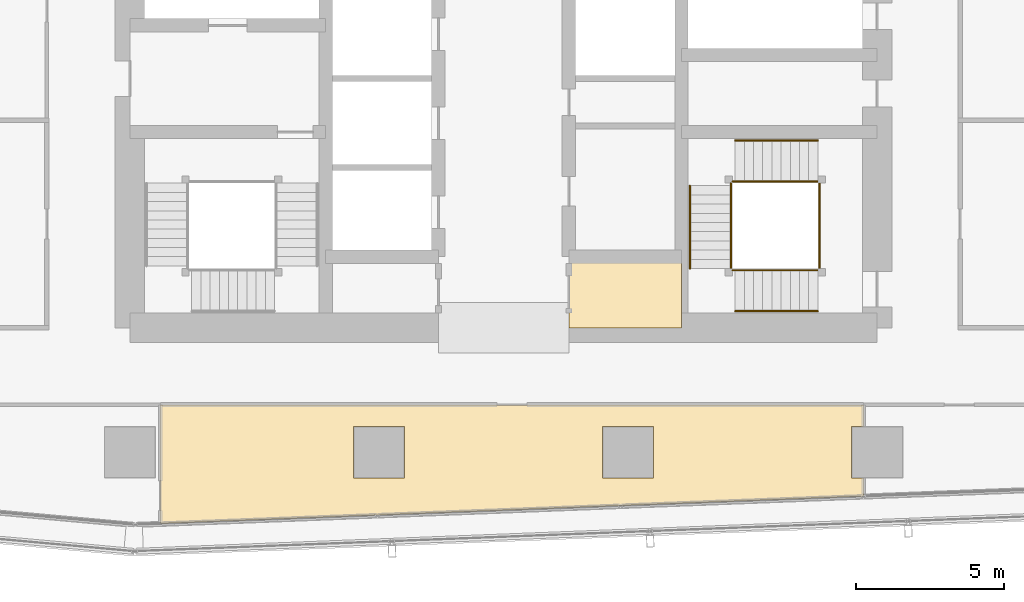
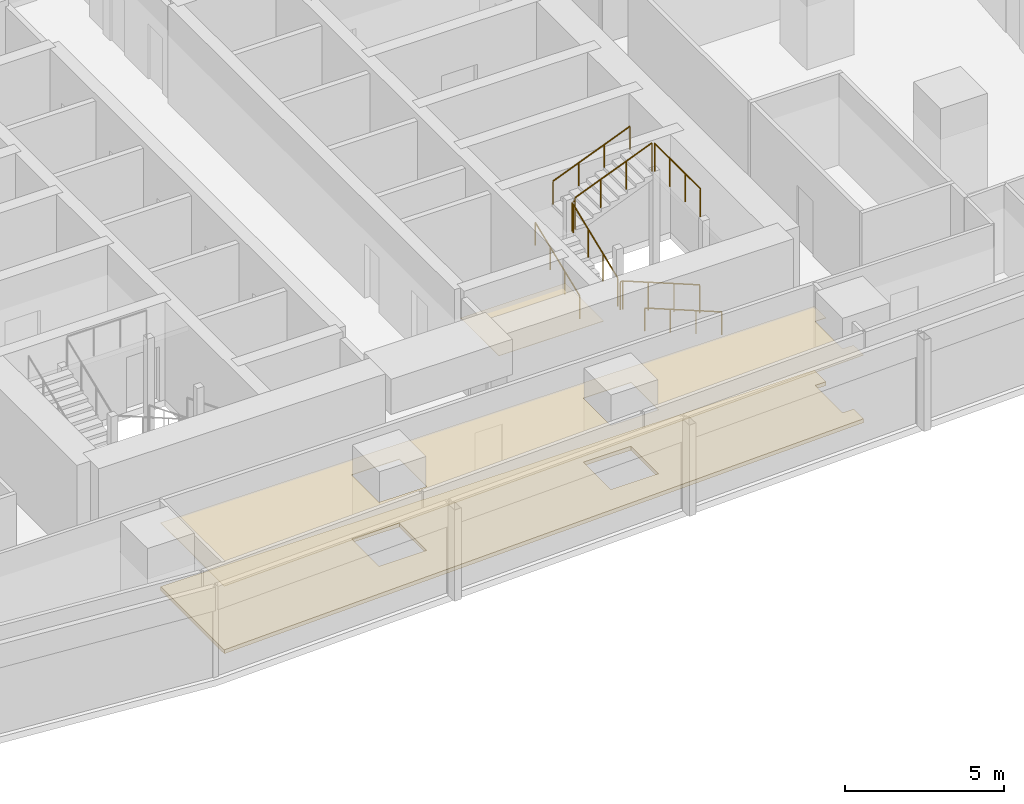
# One storey, part 37 of 40: 10 railings, 3 coverings.
"""IFC4 building model written with IfcOpenShell, lengths in metres."""

import ifcopenshell
import ifcopenshell.guid

model = None  # the IFC model being written
_history = None  # IfcOwnerHistory: only IFC2X3 demands one
_inside = {}  # id of a spatial element -> (the spatial element, [elements in it])
_under = {}  # id of a project, library or spatial element -> (it, [spatial elements below it])
_declared = {}  # id of a project -> (the project, [libraries it declares])
_typed = {}  # id of a type object -> (the type object, [elements of that type])
_made_of = {}  # id of a material, layer set ... -> (it, [elements and type objects made of it])


def new_model(schema):
    """Start an empty IFC model of exactly this schema.

    Asked for "IFC4X3", IfcOpenShell would pick the latest addendum, in which some entities
    have other attributes; the version numbers below select the first issue.
    IFC2X3 requires an IfcOwnerHistory on every rooted entity: one is made here for all.
    """
    global model, _history
    if schema == "IFC4X3":
        model = ifcopenshell.file(schema_version=(4, 3, 0, 0))
    else:
        model = ifcopenshell.file(schema=schema)
    _inside.clear()
    _under.clear()
    _declared.clear()
    _typed.clear()
    _made_of.clear()
    _history = None
    if model.schema == "IFC2X3":
        org = make("IfcOrganization", Name="unknown")
        user = make(
            "IfcPersonAndOrganization",
            ThePerson=make("IfcPerson", FamilyName="unknown"),
            TheOrganization=org,
        )
        app = make(
            "IfcApplication",
            ApplicationDeveloper=org,
            Version="unknown",
            ApplicationFullName="unknown",
            ApplicationIdentifier="unknown",
        )
        _history = make(
            "IfcOwnerHistory",
            OwningUser=user,
            OwningApplication=app,
            ChangeAction="ADDED",
            CreationDate=0,
        )
    return model


def make(cls, **values):
    """One entity of the class cls with the attributes given. An attribute that is None is left unset."""
    return model.create_entity(
        cls, **{name: value for name, value in values.items() if value is not None}
    )


def rooted(cls, **values):
    """An entity with a GlobalId (a new one), such as an element, a storey or a relation."""
    return make(cls, GlobalId=ifcopenshell.guid.new(), OwnerHistory=_history, **values)


def si_unit(unit_type, name, prefix=None):
    """IfcSIUnit, for example si_unit("LENGTHUNIT", "METRE", prefix="MILLI")."""
    return make("IfcSIUnit", UnitType=unit_type, Prefix=prefix, Name=name)


def assignment(units):
    """IfcUnitAssignment: the units of a project."""
    return None if units is None else make("IfcUnitAssignment", Units=units)


def point(xyz):
    """IfcCartesianPoint."""
    return None if xyz is None else make("IfcCartesianPoint", Coordinates=xyz)


def direction(xyz):
    """IfcDirection."""
    return None if xyz is None else make("IfcDirection", DirectionRatios=xyz)


def frame(location, z_axis=None, x_axis=None):
    """IfcAxis2Placement3D, a coordinate frame: its origin and axes. An axis left out is left unset."""
    return make(
        "IfcAxis2Placement3D",
        Location=point(location),
        Axis=direction(z_axis),
        RefDirection=direction(x_axis),
    )


def frame_2d(location, x_axis=None):
    """IfcAxis2Placement2D, a coordinate frame in the plane: its origin and x axis."""
    return make(
        "IfcAxis2Placement2D", Location=point(location), RefDirection=direction(x_axis)
    )


def origin():
    """The frame at (0, 0, 0) with its axes left unset."""
    return frame((0.0, 0.0, 0.0))


def origin_2d():
    """The frame at (0, 0) in the plane with its x axis left unset."""
    return frame_2d((0.0, 0.0))


def place(relative_to, where):
    """IfcLocalPlacement: puts the frame where relative to a parent placement (None: the world)."""
    return make(
        "IfcLocalPlacement", PlacementRelTo=relative_to, RelativePlacement=where
    )


def context(
    kind, dimensions, precision=None, world=None, true_north=None, identifier=None
):
    """IfcGeometricRepresentationContext, for example the 3D "Model" context."""
    return make(
        "IfcGeometricRepresentationContext",
        ContextIdentifier=identifier,
        ContextType=kind,
        CoordinateSpaceDimension=dimensions,
        Precision=precision,
        WorldCoordinateSystem=world,
        TrueNorth=true_north,
    )


def subcontext(parent, identifier, kind, view, scale=None):
    """IfcGeometricRepresentationSubContext, for example "Body" below "Model"."""
    return make(
        "IfcGeometricRepresentationSubContext",
        ContextIdentifier=identifier,
        ContextType=kind,
        ParentContext=parent,
        TargetScale=scale,
        TargetView=view,
    )


def project(units=None, contexts=None):
    """IfcProject with its units and contexts."""
    return rooted(
        "IfcProject",
        Name="project",
        RepresentationContexts=contexts,
        UnitsInContext=assignment(units),
    )


def spatial(cls, under=None, at=None, **own):
    """A site, building, storey or space (cls), placed at a placement, below another one or the project."""
    s = rooted(cls, ObjectPlacement=at, **own)
    if under is not None:
        _under.setdefault(under.id(), (under, []))[1].append(s)
    return s


def polyline(points):
    """IfcPolyline through the points."""
    return make("IfcPolyline", Points=[point(p) for p in points])


def profile(cls, at=None, kind="AREA", **sizes):
    """A parametric profile (cls). Its sizes go by their IFC names, for example OverallWidth=200.0."""
    return make(cls, ProfileType=kind, Position=at, **sizes)


def circle(**sizes):
    """IfcCircleProfileDef."""
    return profile("IfcCircleProfileDef", **sizes)


def outline(outer, holes=None, kind="AREA"):
    """IfcArbitraryClosedProfileDef: a profile drawn as a closed curve; with holes, ...WithVoids."""
    if holes is None:
        return make("IfcArbitraryClosedProfileDef", ProfileType=kind, OuterCurve=outer)
    return make(
        "IfcArbitraryProfileDefWithVoids",
        ProfileType=kind,
        OuterCurve=outer,
        InnerCurves=holes,
    )


def extrude(swept, where, along, depth):
    """IfcExtrudedAreaSolid: the profile swept, set in the frame where, extruded along a direction by depth."""
    return make(
        "IfcExtrudedAreaSolid",
        SweptArea=swept,
        Position=where,
        ExtrudedDirection=direction(along),
        Depth=depth,
    )


def shape(context_of_items, identifier, shape_type, items):
    """IfcShapeRepresentation: the items that make up one representation, for example the "Body"."""
    return make(
        "IfcShapeRepresentation",
        ContextOfItems=context_of_items,
        RepresentationIdentifier=identifier,
        RepresentationType=shape_type,
        Items=items,
    )


def material(Name=None, Category=None):
    """IfcMaterial."""
    return make("IfcMaterial", Name=Name, Category=Category)


def layer(
    of_material, thickness, ventilated=None, Name=None, Category=None, Priority=None
):
    """IfcMaterialLayer: one layer of a wall or slab, of a material (None: an air gap)."""
    return make(
        "IfcMaterialLayer",
        Material=of_material,
        LayerThickness=thickness,
        IsVentilated=ventilated,
        Name=Name,
        Category=Category,
        Priority=Priority,
    )


def layer_set(layers, Name=None):
    """IfcMaterialLayerSet."""
    return make("IfcMaterialLayerSet", MaterialLayers=layers, LayerSetName=Name)


def made_of(thing, what):
    """Note that an element or type object is made of a material, layer set ...; save() writes the relation."""
    if what is not None:
        _made_of.setdefault(what.id(), (what, []))[1].append(thing)
    return thing


def type_object(cls, material=None, **own):
    """A type object (cls), such as IfcWallType, which elements share."""
    return made_of(rooted(cls, **own), material)


def element(
    cls,
    number,
    at=None,
    inside=None,
    cuts=None,
    type_object=None,
    material=None,
    context=None,
    identifier="Body",
    shape_type=None,
    held_by="IfcProductDefinitionShape",
    body=None,
    shapes=None,
    **own,
):
    """One element of the class cls, such as IfcWall. Its Tag is "e" and its number.

    at: its placement. inside: the storey or other place that contains it. cuts: it is an
    opening in that element (IfcRelVoidsElement). A single representation is given by context,
    identifier, shape_type and body (its items); several are given by shapes. held_by: the class
    of the entity that holds the representations. save() writes the other relations.
    """
    e = rooted(cls, Tag="e%d" % number, ObjectPlacement=at, **own)
    if body is not None:
        shapes = [shape(context, identifier, shape_type, body)]
    if shapes is not None:
        e.Representation = make(held_by, Representations=shapes)
    if inside is not None:
        _inside.setdefault(inside.id(), (inside, []))[1].append(e)
    if cuts is not None:
        rooted(
            "IfcRelVoidsElement", RelatingBuildingElement=cuts, RelatedOpeningElement=e
        )
    if type_object is not None:
        _typed.setdefault(type_object.id(), (type_object, []))[1].append(e)
    return made_of(e, material)


def aggregate(whole, parts):
    """IfcRelAggregates: a whole, such as a stair, and the parts it consists of."""
    return rooted("IfcRelAggregates", RelatingObject=whole, RelatedObjects=parts)


def save(model, path):
    """Write the relations noted so far, then the file.

    IfcRelAggregates (storeys below a building ...), IfcRelContainedInSpatialStructure (elements
    in a storey), IfcRelDefinesByType, IfcRelAssociatesMaterial and IfcRelDeclares: one each for
    every whole, place, type object, material and project.
    """
    for whole, parts in _under.values():
        aggregate(whole, parts)
    for where, things in _inside.values():
        rooted(
            "IfcRelContainedInSpatialStructure",
            RelatedElements=things,
            RelatingStructure=where,
        )
    for kind, things in _typed.values():
        rooted("IfcRelDefinesByType", RelatedObjects=things, RelatingType=kind)
    for what, things in _made_of.values():
        rooted("IfcRelAssociatesMaterial", RelatedObjects=things, RelatingMaterial=what)
    for by, libraries in _declared.values():
        rooted("IfcRelDeclares", RelatingContext=by, RelatedDefinitions=libraries)
    model.write(path)


model = new_model("IFC4")

# Units and contexts
model_context = context("Model", 3, precision=1e-05, world=origin(), true_north=direction((0.0, 1.0)))
body_context = subcontext(model_context, "Body", "Model", "MODEL_VIEW")
ifc_project = project(units=[si_unit("LENGTHUNIT", "METRE"), si_unit("AREAUNIT", "SQUARE_METRE"), si_unit("VOLUMEUNIT", "CUBIC_METRE"), si_unit("PLANEANGLEUNIT", "RADIAN"), si_unit("MASSUNIT", "GRAM", prefix="KILO")], contexts=[model_context])

# Site, building, storey
site_placement = place(None, origin())
site = spatial("IfcSite", under=ifc_project, at=site_placement, CompositionType="ELEMENT")
building_placement = place(site_placement, origin())
building = spatial("IfcBuilding", under=site, at=building_placement, Name="Rekha Terrace Tower", CompositionType="ELEMENT")
storey_placement = place(building_placement, frame((0.0, 0.0, 110.300048828125)))
storey = spatial("IfcBuildingStorey", under=building, at=storey_placement, Name="L27", CompositionType="ELEMENT", Elevation=110.300048828125)

# Coverings
ifc_material_1 = material(Name="Mineral fibre tile in exposed grid", Category="finish")
ifc_layer_1 = layer(ifc_material_1, 0.02001953125)
ifc_layer_set_1 = layer_set([ifc_layer_1], Name="Mineral fibre tile in exposed grid")
covering_type_1 = type_object("IfcCoveringType", Name="CL1 600x1200 office grid ceiling", PredefinedType="CEILING", material=ifc_layer_set_1)
covering_1_placement = place(storey_placement, frame((0.0, 0.0, 2.579833984375)))
element("IfcCovering", 1, at=covering_1_placement, inside=storey, type_object=covering_type_1, Name="Ceiling L27-O3", PredefinedType="CEILING", context=body_context, shape_type="SweptSolid", body=[
    extrude(outline(polyline([(49.93603515625, 18.39990234375), (26.23388671875, 18.39990234375), (26.23388671875, 14.39697265625), (49.93603515625, 15.319091796875), (49.93603515625, 15.93505859375), (49.534912109375, 15.93505859375), (49.534912109375, 17.6650390625), (49.93603515625, 17.6650390625), (49.93603515625, 18.39990234375)]), holes=[polyline([(42.864990234375, 17.6650390625), (42.864990234375, 15.93505859375), (41.135009765625, 15.93505859375), (41.135009765625, 17.6650390625), (42.864990234375, 17.6650390625)]), polyline([(34.465087890625, 15.93505859375), (32.735107421875, 15.93505859375), (32.735107421875, 17.6650390625), (34.465087890625, 17.6650390625), (34.465087890625, 15.93505859375)])]), origin(), (0.0, 0.0, 1.0), 0.02001953125),
])
ifc_material_2 = material(Name="Fibre cement board", Category="finish")
ifc_layer_2 = layer(ifc_material_2, 0.014892578125)
ifc_layer_set_2 = layer_set([ifc_layer_2], Name="Fibre cement board")
covering_type_2 = type_object("IfcCoveringType", Name="CL2 moisture-resistant board ceiling", PredefinedType="CEILING", material=ifc_layer_set_2)
covering_2_placement = place(storey_placement, frame((0.0, 0.0, 2.5849609375)))
element("IfcCovering", 2, at=covering_2_placement, inside=storey, type_object=covering_type_2, Name="Ceiling L27-WCA", PredefinedType="CEILING", context=body_context, shape_type="SweptSolid", body=[
    extrude(outline(polyline([(43.800048828125, 23.39990234375), (40.0, 23.39990234375), (40.0, 21.0), (43.800048828125, 21.0), (43.800048828125, 23.39990234375)])), origin(), (0.0, 0.0, 1.0), 0.014892578125),
])

# Railings
ifc_material_3 = material(Name="Stainless steel balustrade", Category="steel")
railing_type_1 = type_object("IfcRailingType", Name="GR1 1100 stair guard", PredefinedType="GUARDRAIL", material=ifc_material_3)
railing_1_placement = place(storey_placement, frame((48.39990234375, 22.93994140625, 0.125)))
element("IfcRailing", 3, at=railing_1_placement, inside=storey, type_object=railing_type_1, Name="Guard ST3 L27 flight 1", PredefinedType="GUARDRAIL", context=body_context, shape_type="SweptSolid", body=[
    extrude(circle(Radius=0.02392578125, at=origin_2d()), frame((0.0, 0.0, 1.076171875), z_axis=(-0.927431937212, 0.0, 0.373991980981), x_axis=(0.0, -1.0, 0.0)), (0.0, 0.0, 1.0), 3.008056640625),
    extrude(circle(Radius=0.02099609375, at=origin_2d()), origin(), (0.0, 0.0, 1.0), 1.052001953125),
    extrude(circle(Radius=0.02099609375, at=origin_2d()), frame((-0.929931640625, 0.0, 0.375)), (0.0, 0.0, 1.0), 1.052001953125),
    extrude(circle(Radius=0.02099609375, at=origin_2d()), frame((-1.85986328125, 0.0, 0.75)), (0.0, 0.0, 1.0), 1.052001953125),
    extrude(circle(Radius=0.02099609375, at=origin_2d()), frame((-2.789794921875, 0.0, 1.125)), (0.0, 0.0, 1.0), 1.052001953125),
])
railing_2_placement = place(storey_placement, frame((45.465087890625, 23.0, 1.375)))
element("IfcRailing", 4, at=railing_2_placement, inside=storey, type_object=railing_type_1, Name="Guard ST3 L27 flight 2", PredefinedType="GUARDRAIL", context=body_context, shape_type="SweptSolid", body=[
    extrude(circle(Radius=0.02392578125, at=origin_2d()), frame((0.0, 0.0, 1.076171875), z_axis=(0.0, 0.927443287984, 0.373963831907), x_axis=(-1.0, 0.0, 0.0)), (0.0, 0.0, 1.0), 3.00830078125),
    extrude(circle(Radius=0.02099609375, at=origin_2d()), origin(), (0.0, 0.0, 1.0), 1.052001953125),
    extrude(circle(Radius=0.02099609375, at=origin_2d()), frame((0.0, 0.929931640625, 0.375)), (0.0, 0.0, 1.0), 1.052001953125),
    extrude(circle(Radius=0.02099609375, at=origin_2d()), frame((0.0, 1.860107421875, 0.75)), (0.0, 0.0, 1.0), 1.052001953125),
    extrude(circle(Radius=0.02099609375, at=origin_2d()), frame((0.0, 2.7900390625, 1.125)), (0.0, 0.0, 1.0), 1.052001953125),
])
railing_3_placement = place(storey_placement, frame((45.610107421875, 25.93505859375, 2.625)))
element("IfcRailing", 5, at=railing_3_placement, inside=storey, type_object=railing_type_1, Name="Guard ST3 L27 flight 3", PredefinedType="GUARDRAIL", context=body_context, shape_type="SweptSolid", body=[
    extrude(circle(Radius=0.02392578125, at=origin_2d()), frame((0.0, 0.0, 1.076171875), z_axis=(0.927431937212, 0.0, 0.373991980981), x_axis=(0.0, 1.0, 0.0)), (0.0, 0.0, 1.0), 3.008056640625),
    extrude(circle(Radius=0.02099609375, at=origin_2d()), origin(), (0.0, 0.0, 1.0), 1.052001953125),
    extrude(circle(Radius=0.02099609375, at=origin_2d()), frame((0.929931640625, 0.0, 0.375)), (0.0, 0.0, 1.0), 1.052001953125),
    extrude(circle(Radius=0.02099609375, at=origin_2d()), frame((1.85986328125, 0.0, 0.75)), (0.0, 0.0, 1.0), 1.052001953125),
    extrude(circle(Radius=0.02099609375, at=origin_2d()), frame((2.789794921875, 0.0, 1.125)), (0.0, 0.0, 1.0), 1.052001953125),
])
railing_4_placement = place(storey_placement, frame((45.610107421875, 22.93994140625, 1.25)))
element("IfcRailing", 6, at=railing_4_placement, inside=storey, type_object=railing_type_1, Name="Guard ST3 L27 landing 1", PredefinedType="GUARDRAIL", context=body_context, shape_type="SweptSolid", body=[
    extrude(circle(Radius=0.02392578125, at=origin_2d()), frame((0.0, 0.0, 1.076171875), z_axis=(-1.0, 0.0, 0.0), x_axis=(0.0, -1.0, 0.0)), (0.0, 0.0, 1.0), 0.085205078125),
    extrude(circle(Radius=0.02099609375, at=origin_2d()), origin(), (0.0, 0.0, 1.0), 1.052001953125),
    extrude(circle(Radius=0.02099609375, at=origin_2d()), frame((-0.085205078125, 0.0, 0.0)), (0.0, 0.0, 1.0), 1.052001953125),
])
railing_5_placement = place(storey_placement, frame((45.465087890625, 25.7900390625, 2.5)))
element("IfcRailing", 7, at=railing_5_placement, inside=storey, type_object=railing_type_1, Name="Guard ST3 L27 landing 2", PredefinedType="GUARDRAIL", context=body_context, shape_type="SweptSolid", body=[
    extrude(circle(Radius=0.02392578125, at=origin_2d()), frame((0.0, 0.0, 1.076171875), z_axis=(0.0, 1.0, 0.0), x_axis=(-1.0, 0.0, 0.0)), (0.0, 0.0, 1.0), 0.0849609375),
    extrude(circle(Radius=0.02099609375, at=origin_2d()), origin(), (0.0, 0.0, 1.0), 1.052001953125),
    extrude(circle(Radius=0.02099609375, at=origin_2d()), frame((0.0, 0.0849609375, 0.0)), (0.0, 0.0, 1.0), 1.052001953125),
])
railing_6_placement = place(storey_placement, frame((45.610107421875, 25.93505859375, 2.5)))
element("IfcRailing", 8, at=railing_6_placement, inside=storey, type_object=railing_type_1, Name="Guard ST3 L27 landing 3", PredefinedType="GUARDRAIL", context=body_context, shape_type="SweptSolid", body=[
    extrude(circle(Radius=0.02392578125, at=origin_2d()), frame((0.0, 0.0, 1.076171875), z_axis=(-1.0, 0.0, 0.0), x_axis=(0.0, -1.0, 0.0)), (0.0, 0.0, 1.0), 0.085205078125),
    extrude(circle(Radius=0.02099609375, at=origin_2d()), origin(), (0.0, 0.0, 1.0), 1.052001953125),
    extrude(circle(Radius=0.02099609375, at=origin_2d()), frame((-0.085205078125, 0.0, 0.0)), (0.0, 0.0, 1.0), 1.052001953125),
])
railing_7_placement = place(storey_placement, frame((48.4599609375, 23.0, 3.75)))
element("IfcRailing", 9, at=railing_7_placement, inside=storey, type_object=railing_type_1, Name="Guard ST3 L27 landing 4", PredefinedType="GUARDRAIL", context=body_context, shape_type="SweptSolid", body=[
    extrude(circle(Radius=0.02392578125, at=origin_2d()), frame((0.0, 0.0, 1.076171875), z_axis=(0.0, 1.0, 0.0), x_axis=(-1.0, 0.0, 0.0)), (0.0, 0.0, 1.0), 2.875),
    extrude(circle(Radius=0.02099609375, at=origin_2d()), origin(), (0.0, 0.0, 1.0), 1.052001953125),
    extrude(circle(Radius=0.02099609375, at=origin_2d()), frame((0.0, 0.958251953125, 0.0)), (0.0, 0.0, 1.0), 1.052001953125),
    extrude(circle(Radius=0.02099609375, at=origin_2d()), frame((0.0, 1.916748046875, 0.0)), (0.0, 0.0, 1.0), 1.052001953125),
    extrude(circle(Radius=0.02099609375, at=origin_2d()), frame((0.0, 2.875, 0.0)), (0.0, 0.0, 1.0), 1.052001953125),
])
ifc_material_4 = material(Name="Stainless steel tube", Category="steel")
railing_type_2 = type_object("IfcRailingType", Name="HR1 900 stair handrail", PredefinedType="HANDRAIL", material=ifc_material_4)
railing_8_placement = place(storey_placement, frame((48.39990234375, 21.56005859375, 0.125)))
element("IfcRailing", 10, at=railing_8_placement, inside=storey, type_object=railing_type_2, Name="Handrail ST3 L27 flight 1", PredefinedType="HANDRAIL", context=body_context, shape_type="SweptSolid", body=[
    extrude(circle(Radius=0.02392578125, at=origin_2d()), frame((0.0, 0.0, 0.8759765625), z_axis=(-0.927431937212, 0.0, 0.373991980981), x_axis=(0.0, -1.0, 0.0)), (0.0, 0.0, 1.0), 3.008056640625),
    extrude(circle(Radius=0.02099609375, at=origin_2d()), origin(), (0.0, 0.0, 1.0), 0.851806640625),
    extrude(circle(Radius=0.02099609375, at=origin_2d()), frame((-0.929931640625, 0.0, 0.375)), (0.0, 0.0, 1.0), 0.851806640625),
    extrude(circle(Radius=0.02099609375, at=origin_2d()), frame((-1.85986328125, 0.0, 0.75)), (0.0, 0.0, 1.0), 0.851806640625),
    extrude(circle(Radius=0.02099609375, at=origin_2d()), frame((-2.789794921875, 0.0, 1.125)), (0.0, 0.0, 1.0), 0.851806640625),
])
railing_9_placement = place(storey_placement, frame((44.0849609375, 23.0, 1.375)))
element("IfcRailing", 11, at=railing_9_placement, inside=storey, type_object=railing_type_2, Name="Handrail ST3 L27 flight 2", PredefinedType="HANDRAIL", context=body_context, shape_type="SweptSolid", body=[
    extrude(circle(Radius=0.02392578125, at=origin_2d()), frame((0.0, 0.0, 0.8759765625), z_axis=(0.0, 0.927443287984, 0.373963831907), x_axis=(-1.0, 0.0, 0.0)), (0.0, 0.0, 1.0), 3.00830078125),
    extrude(circle(Radius=0.02099609375, at=origin_2d()), origin(), (0.0, 0.0, 1.0), 0.851806640625),
    extrude(circle(Radius=0.02099609375, at=origin_2d()), frame((0.0, 0.929931640625, 0.375)), (0.0, 0.0, 1.0), 0.851806640625),
    extrude(circle(Radius=0.02099609375, at=origin_2d()), frame((0.0, 1.860107421875, 0.75)), (0.0, 0.0, 1.0), 0.851806640625),
    extrude(circle(Radius=0.02099609375, at=origin_2d()), frame((0.0, 2.7900390625, 1.125)), (0.0, 0.0, 1.0), 0.851806640625),
])
railing_10_placement = place(storey_placement, frame((45.610107421875, 27.31494140625, 2.625)))
element("IfcRailing", 12, at=railing_10_placement, inside=storey, type_object=railing_type_2, Name="Handrail ST3 L27 flight 3", PredefinedType="HANDRAIL", context=body_context, shape_type="SweptSolid", body=[
    extrude(circle(Radius=0.02392578125, at=origin_2d()), frame((0.0, 0.0, 0.8759765625), z_axis=(0.927431937212, 0.0, 0.373991980981), x_axis=(0.0, 1.0, 0.0)), (0.0, 0.0, 1.0), 3.008056640625),
    extrude(circle(Radius=0.02099609375, at=origin_2d()), origin(), (0.0, 0.0, 1.0), 0.851806640625),
    extrude(circle(Radius=0.02099609375, at=origin_2d()), frame((0.929931640625, 0.0, 0.375)), (0.0, 0.0, 1.0), 0.851806640625),
    extrude(circle(Radius=0.02099609375, at=origin_2d()), frame((1.85986328125, 0.0, 0.75)), (0.0, 0.0, 1.0), 0.851806640625),
    extrude(circle(Radius=0.02099609375, at=origin_2d()), frame((2.789794921875, 0.0, 1.125)), (0.0, 0.0, 1.0), 0.851806640625),
])

# Covering
ifc_material_5 = material(Name="Calcium sulphate panels on steel pedestals", Category="steel")
ifc_layer_3 = layer(ifc_material_5, 0.14990234375)
ifc_layer_set_3 = layer_set([ifc_layer_3], Name="Calcium sulphate panels on steel pedestals")
covering_type_3 = type_object("IfcCoveringType", Name="RF1 150 raised access floor", PredefinedType="FLOORING", material=ifc_layer_set_3)
covering_3_placement = place(storey_placement, origin())
element("IfcCovering", 13, at=covering_3_placement, inside=storey, type_object=covering_type_3, Name="Raised floor L27-O3", PredefinedType="FLOORING", context=body_context, shape_type="SweptSolid", body=[
    extrude(outline(polyline([(49.93603515625, 18.39990234375), (26.23388671875, 18.39990234375), (26.23388671875, 14.39697265625), (49.93603515625, 15.319091796875), (49.93603515625, 15.93505859375), (49.534912109375, 15.93505859375), (49.534912109375, 17.6650390625), (49.93603515625, 17.6650390625), (49.93603515625, 18.39990234375)]), holes=[polyline([(42.864990234375, 17.6650390625), (42.864990234375, 15.93505859375), (41.135009765625, 15.93505859375), (41.135009765625, 17.6650390625), (42.864990234375, 17.6650390625)]), polyline([(34.465087890625, 15.93505859375), (32.735107421875, 15.93505859375), (32.735107421875, 17.6650390625), (34.465087890625, 17.6650390625), (34.465087890625, 15.93505859375)])]), origin(), (0.0, 0.0, 1.0), 0.14990234375),
])

save(model, "model.ifc")
